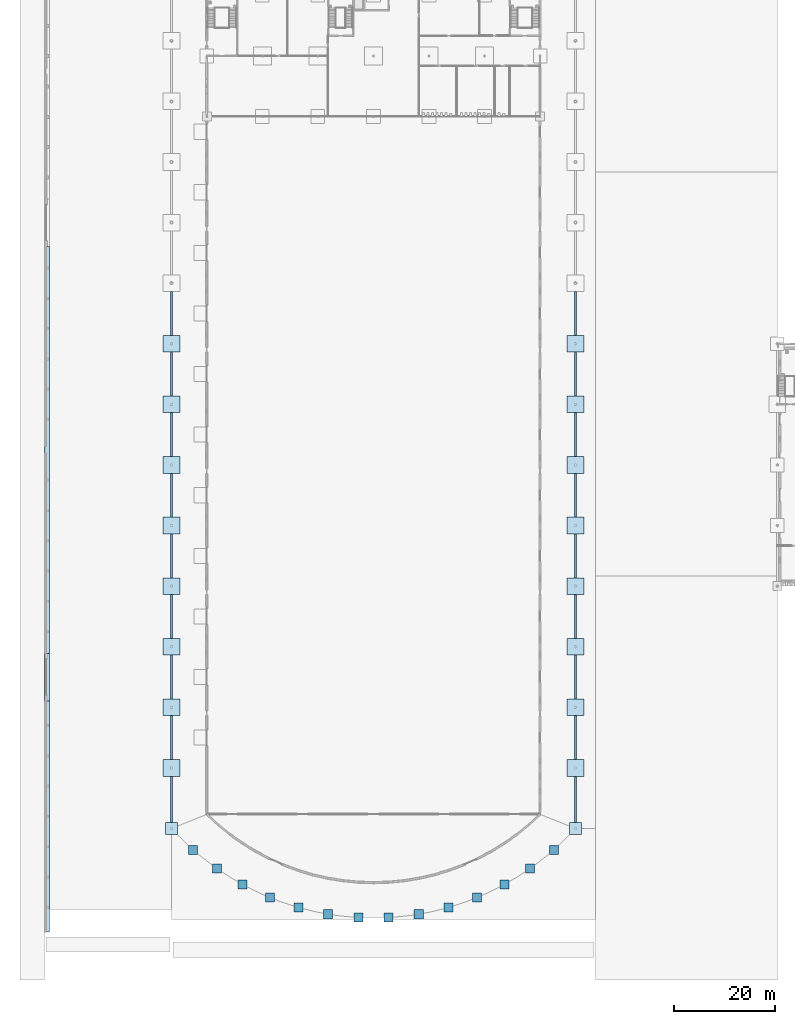
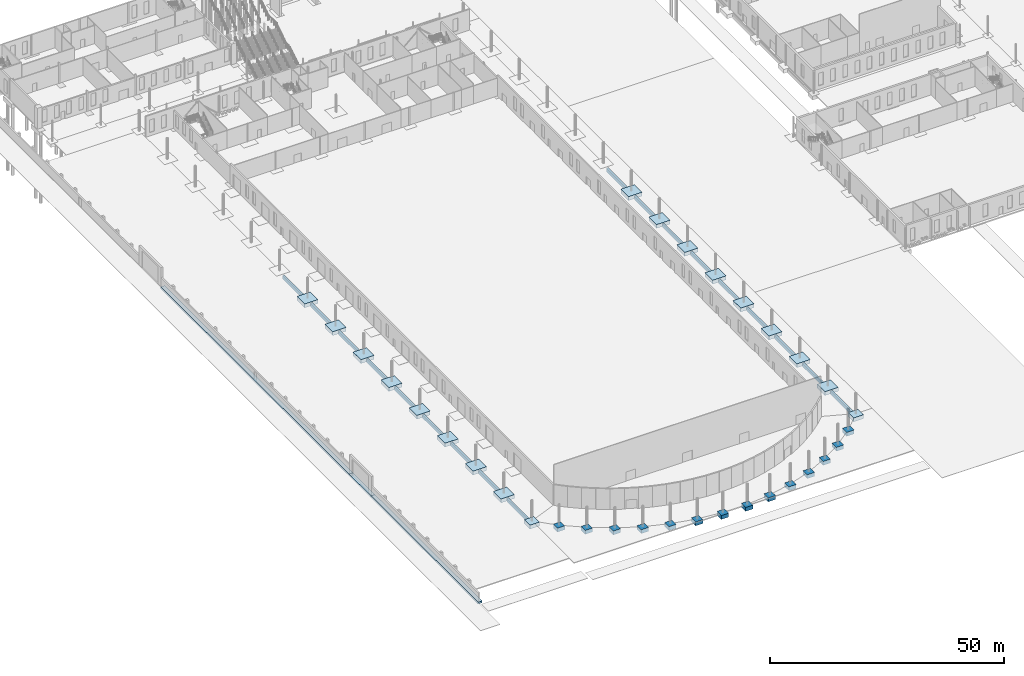
# One storey, part 1 of 132: 53 footings.
"""IFC4 building model written with IfcOpenShell, lengths in metres."""

from ifc_helpers import new_model, si_unit, direction, frame, origin, origin_2d, place, context, subcontext, project, spatial, polyline, rectangle, outline, extrude, material, type_object, element, save


model = new_model("IFC4")

# Units and contexts
model_context = context("Model", 3, precision=1e-05, world=origin(), true_north=direction((0.0, 1.0)))
body_context = subcontext(model_context, "Body", "Model", "MODEL_VIEW")
ifc_project = project(units=[si_unit("LENGTHUNIT", "METRE"), si_unit("AREAUNIT", "SQUARE_METRE"), si_unit("VOLUMEUNIT", "CUBIC_METRE"), si_unit("PLANEANGLEUNIT", "RADIAN"), si_unit("MASSUNIT", "GRAM", prefix="KILO")], contexts=[model_context])

# Site, building, storey
site_placement = place(None, origin())
site = spatial("IfcSite", under=ifc_project, at=site_placement, CompositionType="ELEMENT")
building_placement = place(site_placement, origin())
building = spatial("IfcBuilding", under=site, at=building_placement, Name="Ravi Spectrum Wholesale Market", CompositionType="ELEMENT")
storey_placement = place(building_placement, origin())
storey = spatial("IfcBuildingStorey", under=building, at=storey_placement, Name="L00", CompositionType="ELEMENT", Elevation=0.0)

# Footings
ifc_material_1 = material(Name="Concrete C35/45", Category="concrete")
footing_type_1 = type_object("IfcFootingType", Name="Boundary strip footing 1000 x 500", PredefinedType="STRIP_FOOTING", material=ifc_material_1)
footing_1_placement = place(storey_placement, frame((0.0, 0.0, -0.5)))
element("IfcFooting", 1, at=footing_1_placement, inside=storey, type_object=footing_type_1, Name="Boundary strip footing", PredefinedType="STRIP_FOOTING", context=body_context, shape_type="SweptSolid", body=[
    extrude(outline(polyline([(4.85009765625, 55.300048828125), (5.85009765625, 55.300048828125), (5.85009765625, 64.699951171875), (4.85009765625, 64.699951171875), (4.85009765625, 55.300048828125)])), origin(), (0.0, 0.0, 1.0), 0.5),
])
footing_2_placement = place(storey_placement, frame((0.0, 0.0, -0.5)))
element("IfcFooting", 2, at=footing_2_placement, inside=storey, type_object=footing_type_1, Name="Boundary strip footing", PredefinedType="STRIP_FOOTING", context=body_context, shape_type="SweptSolid", body=[
    extrude(outline(polyline([(4.85009765625, 9.5), (5.85009765625, 9.5), (5.85009765625, 55.300048828125), (4.85009765625, 55.300048828125), (4.85009765625, 9.5)])), origin(), (0.0, 0.0, 1.0), 0.5),
])
footing_3_placement = place(storey_placement, frame((0.0, 0.0, -0.5)))
element("IfcFooting", 3, at=footing_3_placement, inside=storey, type_object=footing_type_1, Name="Boundary strip footing", PredefinedType="STRIP_FOOTING", context=body_context, shape_type="SweptSolid", body=[
    extrude(outline(polyline([(4.85009765625, 64.699951171875), (5.85009765625, 64.699951171875), (5.85009765625, 145.300048828125), (4.85009765625, 145.300048828125), (4.85009765625, 64.699951171875)])), origin(), (0.0, 0.0, 1.0), 0.5),
])
ifc_material_2 = material(Name="Concrete C35/45", Category="concrete")
footing_type_2 = type_object("IfcFootingType", Name="Ground beam 450x900", PredefinedType="FOOTING_BEAM", material=ifc_material_2)
footing_4_placement = place(storey_placement, frame((0.0, 0.0, -1.199951171875)))
element("IfcFooting", 4, at=footing_4_placement, inside=storey, type_object=footing_type_2, Name="H1-GB-L00-001", PredefinedType="FOOTING_BEAM", context=body_context, shape_type="SweptSolid", body=[
    extrude(outline(polyline([(29.77490234375, 31.199951171875), (29.77490234375, 40.35009765625), (30.22509765625, 40.35009765625), (30.22509765625, 31.199951171875), (29.77490234375, 31.199951171875)])), origin(), (0.0, 0.0, 1.0), 0.89990234375),
])
footing_5_placement = place(storey_placement, frame((0.0, 0.0, -1.199951171875)))
element("IfcFooting", 5, at=footing_5_placement, inside=storey, type_object=footing_type_2, Name="H1-GB-L00-002", PredefinedType="FOOTING_BEAM", context=body_context, shape_type="SweptSolid", body=[
    extrude(outline(polyline([(29.77490234375, 43.64990234375), (29.77490234375, 52.35009765625), (30.22509765625, 52.35009765625), (30.22509765625, 43.64990234375), (29.77490234375, 43.64990234375)])), origin(), (0.0, 0.0, 1.0), 0.89990234375),
])
footing_6_placement = place(storey_placement, frame((0.0, 0.0, -1.199951171875)))
element("IfcFooting", 6, at=footing_6_placement, inside=storey, type_object=footing_type_2, Name="H1-GB-L00-003", PredefinedType="FOOTING_BEAM", context=body_context, shape_type="SweptSolid", body=[
    extrude(outline(polyline([(29.77490234375, 55.64990234375), (29.77490234375, 64.35009765625), (30.22509765625, 64.35009765625), (30.22509765625, 55.64990234375), (29.77490234375, 55.64990234375)])), origin(), (0.0, 0.0, 1.0), 0.89990234375),
])
footing_7_placement = place(storey_placement, frame((0.0, 0.0, -1.199951171875)))
element("IfcFooting", 7, at=footing_7_placement, inside=storey, type_object=footing_type_2, Name="H1-GB-L00-004", PredefinedType="FOOTING_BEAM", context=body_context, shape_type="SweptSolid", body=[
    extrude(outline(polyline([(29.77490234375, 67.64990234375), (29.77490234375, 76.35009765625), (30.22509765625, 76.35009765625), (30.22509765625, 67.64990234375), (29.77490234375, 67.64990234375)])), origin(), (0.0, 0.0, 1.0), 0.89990234375),
])
footing_8_placement = place(storey_placement, frame((0.0, 0.0, -1.199951171875)))
element("IfcFooting", 8, at=footing_8_placement, inside=storey, type_object=footing_type_2, Name="H1-GB-L00-005", PredefinedType="FOOTING_BEAM", context=body_context, shape_type="SweptSolid", body=[
    extrude(outline(polyline([(29.77490234375, 79.64990234375), (29.77490234375, 88.35009765625), (30.22509765625, 88.35009765625), (30.22509765625, 79.64990234375), (29.77490234375, 79.64990234375)])), origin(), (0.0, 0.0, 1.0), 0.89990234375),
])
footing_9_placement = place(storey_placement, frame((0.0, 0.0, -1.199951171875)))
element("IfcFooting", 9, at=footing_9_placement, inside=storey, type_object=footing_type_2, Name="H1-GB-L00-006", PredefinedType="FOOTING_BEAM", context=body_context, shape_type="SweptSolid", body=[
    extrude(outline(polyline([(29.77490234375, 91.64990234375), (29.77490234375, 100.35009765625), (30.22509765625, 100.35009765625), (30.22509765625, 91.64990234375), (29.77490234375, 91.64990234375)])), origin(), (0.0, 0.0, 1.0), 0.89990234375),
])
footing_10_placement = place(storey_placement, frame((0.0, 0.0, -1.199951171875)))
element("IfcFooting", 10, at=footing_10_placement, inside=storey, type_object=footing_type_2, Name="H1-GB-L00-007", PredefinedType="FOOTING_BEAM", context=body_context, shape_type="SweptSolid", body=[
    extrude(outline(polyline([(29.77490234375, 103.64990234375), (29.77490234375, 112.35009765625), (30.22509765625, 112.35009765625), (30.22509765625, 103.64990234375), (29.77490234375, 103.64990234375)])), origin(), (0.0, 0.0, 1.0), 0.89990234375),
])
footing_11_placement = place(storey_placement, frame((0.0, 0.0, -1.199951171875)))
element("IfcFooting", 11, at=footing_11_placement, inside=storey, type_object=footing_type_2, Name="H1-GB-L00-008", PredefinedType="FOOTING_BEAM", context=body_context, shape_type="SweptSolid", body=[
    extrude(outline(polyline([(29.77490234375, 115.64990234375), (29.77490234375, 124.35009765625), (30.22509765625, 124.35009765625), (30.22509765625, 115.64990234375), (29.77490234375, 115.64990234375)])), origin(), (0.0, 0.0, 1.0), 0.89990234375),
])
footing_12_placement = place(storey_placement, frame((0.0, 0.0, -1.199951171875)))
element("IfcFooting", 12, at=footing_12_placement, inside=storey, type_object=footing_type_2, Name="H1-GB-L00-009", PredefinedType="FOOTING_BEAM", context=body_context, shape_type="SweptSolid", body=[
    extrude(outline(polyline([(29.77490234375, 127.64990234375), (29.77490234375, 136.35009765625), (30.22509765625, 136.35009765625), (30.22509765625, 127.64990234375), (29.77490234375, 127.64990234375)])), origin(), (0.0, 0.0, 1.0), 0.89990234375),
])
footing_13_placement = place(storey_placement, frame((0.0, 0.0, -1.199951171875)))
element("IfcFooting", 13, at=footing_13_placement, inside=storey, type_object=footing_type_2, Name="H1-GB-L00-015", PredefinedType="FOOTING_BEAM", context=body_context, shape_type="SweptSolid", body=[
    extrude(outline(polyline([(109.77490234375, 31.199951171875), (109.77490234375, 40.35009765625), (110.22509765625, 40.35009765625), (110.22509765625, 31.199951171875), (109.77490234375, 31.199951171875)])), origin(), (0.0, 0.0, 1.0), 0.89990234375),
])
footing_14_placement = place(storey_placement, frame((0.0, 0.0, -1.199951171875)))
element("IfcFooting", 14, at=footing_14_placement, inside=storey, type_object=footing_type_2, Name="H1-GB-L00-016", PredefinedType="FOOTING_BEAM", context=body_context, shape_type="SweptSolid", body=[
    extrude(outline(polyline([(109.77490234375, 43.64990234375), (109.77490234375, 52.35009765625), (110.22509765625, 52.35009765625), (110.22509765625, 43.64990234375), (109.77490234375, 43.64990234375)])), origin(), (0.0, 0.0, 1.0), 0.89990234375),
])
footing_15_placement = place(storey_placement, frame((0.0, 0.0, -1.199951171875)))
element("IfcFooting", 15, at=footing_15_placement, inside=storey, type_object=footing_type_2, Name="H1-GB-L00-017", PredefinedType="FOOTING_BEAM", context=body_context, shape_type="SweptSolid", body=[
    extrude(outline(polyline([(109.77490234375, 55.64990234375), (109.77490234375, 64.35009765625), (110.22509765625, 64.35009765625), (110.22509765625, 55.64990234375), (109.77490234375, 55.64990234375)])), origin(), (0.0, 0.0, 1.0), 0.89990234375),
])
footing_16_placement = place(storey_placement, frame((0.0, 0.0, -1.199951171875)))
element("IfcFooting", 16, at=footing_16_placement, inside=storey, type_object=footing_type_2, Name="H1-GB-L00-018", PredefinedType="FOOTING_BEAM", context=body_context, shape_type="SweptSolid", body=[
    extrude(outline(polyline([(109.77490234375, 67.64990234375), (109.77490234375, 76.35009765625), (110.22509765625, 76.35009765625), (110.22509765625, 67.64990234375), (109.77490234375, 67.64990234375)])), origin(), (0.0, 0.0, 1.0), 0.89990234375),
])
footing_17_placement = place(storey_placement, frame((0.0, 0.0, -1.199951171875)))
element("IfcFooting", 17, at=footing_17_placement, inside=storey, type_object=footing_type_2, Name="H1-GB-L00-019", PredefinedType="FOOTING_BEAM", context=body_context, shape_type="SweptSolid", body=[
    extrude(outline(polyline([(109.77490234375, 79.64990234375), (109.77490234375, 88.35009765625), (110.22509765625, 88.35009765625), (110.22509765625, 79.64990234375), (109.77490234375, 79.64990234375)])), origin(), (0.0, 0.0, 1.0), 0.89990234375),
])
footing_18_placement = place(storey_placement, frame((0.0, 0.0, -1.199951171875)))
element("IfcFooting", 18, at=footing_18_placement, inside=storey, type_object=footing_type_2, Name="H1-GB-L00-020", PredefinedType="FOOTING_BEAM", context=body_context, shape_type="SweptSolid", body=[
    extrude(outline(polyline([(109.77490234375, 91.64990234375), (109.77490234375, 100.35009765625), (110.22509765625, 100.35009765625), (110.22509765625, 91.64990234375), (109.77490234375, 91.64990234375)])), origin(), (0.0, 0.0, 1.0), 0.89990234375),
])
footing_19_placement = place(storey_placement, frame((0.0, 0.0, -1.199951171875)))
element("IfcFooting", 19, at=footing_19_placement, inside=storey, type_object=footing_type_2, Name="H1-GB-L00-021", PredefinedType="FOOTING_BEAM", context=body_context, shape_type="SweptSolid", body=[
    extrude(outline(polyline([(109.77490234375, 103.64990234375), (109.77490234375, 112.35009765625), (110.22509765625, 112.35009765625), (110.22509765625, 103.64990234375), (109.77490234375, 103.64990234375)])), origin(), (0.0, 0.0, 1.0), 0.89990234375),
])
footing_20_placement = place(storey_placement, frame((0.0, 0.0, -1.199951171875)))
element("IfcFooting", 20, at=footing_20_placement, inside=storey, type_object=footing_type_2, Name="H1-GB-L00-022", PredefinedType="FOOTING_BEAM", context=body_context, shape_type="SweptSolid", body=[
    extrude(outline(polyline([(109.77490234375, 115.64990234375), (109.77490234375, 124.35009765625), (110.22509765625, 124.35009765625), (110.22509765625, 115.64990234375), (109.77490234375, 115.64990234375)])), origin(), (0.0, 0.0, 1.0), 0.89990234375),
])
footing_21_placement = place(storey_placement, frame((0.0, 0.0, -1.199951171875)))
element("IfcFooting", 21, at=footing_21_placement, inside=storey, type_object=footing_type_2, Name="H1-GB-L00-023", PredefinedType="FOOTING_BEAM", context=body_context, shape_type="SweptSolid", body=[
    extrude(outline(polyline([(109.77490234375, 127.64990234375), (109.77490234375, 136.35009765625), (110.22509765625, 136.35009765625), (110.22509765625, 127.64990234375), (109.77490234375, 127.64990234375)])), origin(), (0.0, 0.0, 1.0), 0.89990234375),
])
ifc_material_3 = material(Name="Concrete C35/45", Category="concrete")
footing_type_3 = type_object("IfcFootingType", Name="Pad footing 1800x1800x1000", PredefinedType="PAD_FOOTING", material=ifc_material_3)
for number, where, z_axis, x_axis, name in (
    (22, (34.273681640625, 25.784423828125, -1.0), (0.0, 0.0, 1.0), (1.0, 0.0, 0.0), "H1-PF-L00-031"),
    (23, (38.98876953125, 22.069091796875, -1.0), (0.0, 0.0, 1.0), (1.0, 0.0, 0.0), "H1-PF-L00-032"),
    (24, (44.087158203125, 18.900390625, -1.0), (0.0, 0.0, 1.0), (1.0, 0.0, 0.0), "H1-PF-L00-033"),
    (25, (49.505859375, 16.31689453125, -1.0), (0.0, 0.0, 1.0), (1.0, 0.0, 0.0), "H1-PF-L00-034"),
    (26, (55.177734375, 14.350830078125, -1.0), (0.0, 0.0, 1.0), (1.0, 0.0, 0.0), "H1-PF-L00-035"),
    (27, (61.03271484375, 13.0263671875, -1.0), (0.0, 0.0, 1.0), (1.0, 0.0, 0.0), "H1-PF-L00-036"),
    (28, (66.99853515625, 12.360107421875, -1.0), (0.0, 0.0, 1.0), (1.0, 0.0, 0.0), "H1-PF-L00-037"),
    (29, (73.00146484375, 12.360107421875, -1.0), (0.0, 0.0, 1.0), (1.0, 0.0, 0.0), "H1-PF-L00-038"),
    (30, (78.96728515625, 13.0263671875, -1.0), (0.0, 0.0, 1.0), (1.0, 0.0, 0.0), "H1-PF-L00-039"),
    (31, (84.822265625, 14.350830078125, -1.0), (0.0, 0.0, 1.0), (1.0, 0.0, 0.0), "H1-PF-L00-040"),
    (32, (90.494140625, 16.31689453125, -1.0), (0.0, 0.0, 1.0), (1.0, 0.0, 0.0), "H1-PF-L00-041"),
    (33, (95.912841796875, 18.900390625, -1.0), (0.0, 0.0, 1.0), (1.0, 0.0, 0.0), "H1-PF-L00-042"),
    (34, (101.01123046875, 22.069091796875, -1.0), (0.0, 0.0, 1.0), (1.0, 0.0, 0.0), "H1-PF-L00-043"),
    (35, (105.726318359375, 25.784423828125, -1.0), (0.0, 0.0, 1.0), (1.0, 0.0, 0.0), "H1-PF-L00-044"),
):
    element("IfcFooting", number, at=place(storey_placement, frame(where, z_axis=z_axis, x_axis=x_axis)), inside=storey, type_object=footing_type_3, Name=name, PredefinedType="PAD_FOOTING", context=body_context, shape_type="SweptSolid", body=[
        extrude(rectangle(XDim=1.800048828125, YDim=1.800048828125, at=origin_2d()), origin(), (0.0, 0.0, 1.0), 1.0),
    ])
ifc_material_4 = material(Name="Concrete C35/45", Category="concrete")
footing_type_4 = type_object("IfcFootingType", Name="Pad footing 2400x2400x1000", PredefinedType="PAD_FOOTING", material=ifc_material_4)
for number, where, z_axis, x_axis, name in (
    (36, (30.0, 30.0, -1.0), (0.0, 0.0, 1.0), (1.0, 0.0, 0.0), "H1-PF-L00-001"),
    (37, (110.0, 30.0, -1.0), (0.0, 0.0, 1.0), (1.0, 0.0, 0.0), "H1-PF-L00-016"),
):
    element("IfcFooting", number, at=place(storey_placement, frame(where, z_axis=z_axis, x_axis=x_axis)), inside=storey, type_object=footing_type_4, Name=name, PredefinedType="PAD_FOOTING", context=body_context, shape_type="SweptSolid", body=[
        extrude(rectangle(XDim=2.39990234375, YDim=2.39990234375, at=origin_2d()), origin(), (0.0, 0.0, 1.0), 1.0),
    ])
ifc_material_5 = material(Name="Concrete C35/45", Category="concrete")
footing_type_5 = type_object("IfcFootingType", Name="Pad footing 3300x3300x1000", PredefinedType="PAD_FOOTING", material=ifc_material_5)
for number, where, z_axis, x_axis, name in (
    (38, (30.0, 42.0, -1.0), (0.0, 0.0, 1.0), (1.0, 0.0, 0.0), "H1-PF-L00-002"),
    (39, (30.0, 54.0, -1.0), (0.0, 0.0, 1.0), (1.0, 0.0, 0.0), "H1-PF-L00-003"),
    (40, (30.0, 66.0, -1.0), (0.0, 0.0, 1.0), (1.0, 0.0, 0.0), "H1-PF-L00-004"),
    (41, (30.0, 78.0, -1.0), (0.0, 0.0, 1.0), (1.0, 0.0, 0.0), "H1-PF-L00-005"),
    (42, (30.0, 90.0, -1.0), (0.0, 0.0, 1.0), (1.0, 0.0, 0.0), "H1-PF-L00-006"),
    (43, (30.0, 102.0, -1.0), (0.0, 0.0, 1.0), (1.0, 0.0, 0.0), "H1-PF-L00-007"),
    (44, (30.0, 114.0, -1.0), (0.0, 0.0, 1.0), (1.0, 0.0, 0.0), "H1-PF-L00-008"),
    (45, (30.0, 126.0, -1.0), (0.0, 0.0, 1.0), (1.0, 0.0, 0.0), "H1-PF-L00-009"),
    (46, (110.0, 42.0, -1.0), (0.0, 0.0, 1.0), (1.0, 0.0, 0.0), "H1-PF-L00-017"),
    (47, (110.0, 54.0, -1.0), (0.0, 0.0, 1.0), (1.0, 0.0, 0.0), "H1-PF-L00-018"),
    (48, (110.0, 66.0, -1.0), (0.0, 0.0, 1.0), (1.0, 0.0, 0.0), "H1-PF-L00-019"),
    (49, (110.0, 78.0, -1.0), (0.0, 0.0, 1.0), (1.0, 0.0, 0.0), "H1-PF-L00-020"),
    (50, (110.0, 90.0, -1.0), (0.0, 0.0, 1.0), (1.0, 0.0, 0.0), "H1-PF-L00-021"),
    (51, (110.0, 102.0, -1.0), (0.0, 0.0, 1.0), (1.0, 0.0, 0.0), "H1-PF-L00-022"),
    (52, (110.0, 114.0, -1.0), (0.0, 0.0, 1.0), (1.0, 0.0, 0.0), "H1-PF-L00-023"),
    (53, (110.0, 126.0, -1.0), (0.0, 0.0, 1.0), (1.0, 0.0, 0.0), "H1-PF-L00-024"),
):
    element("IfcFooting", number, at=place(storey_placement, frame(where, z_axis=z_axis, x_axis=x_axis)), inside=storey, type_object=footing_type_5, Name=name, PredefinedType="PAD_FOOTING", context=body_context, shape_type="SweptSolid", body=[
        extrude(rectangle(XDim=3.300048828125, YDim=3.300048828125, at=origin_2d()), origin(), (0.0, 0.0, 1.0), 1.0),
    ])

save(model, "model.ifc")
